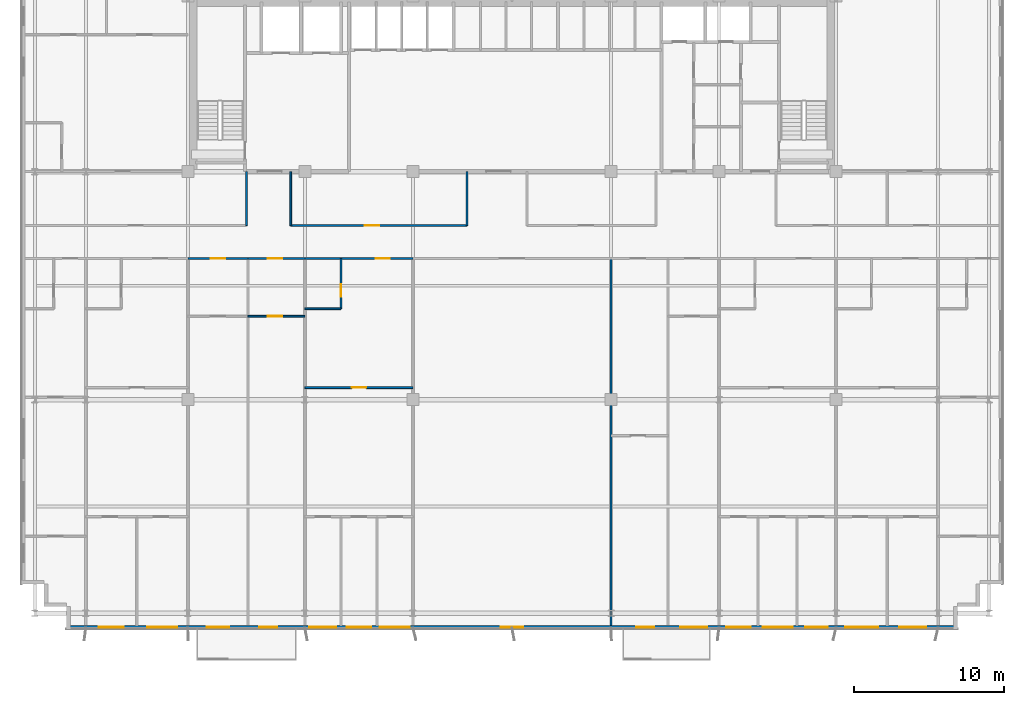
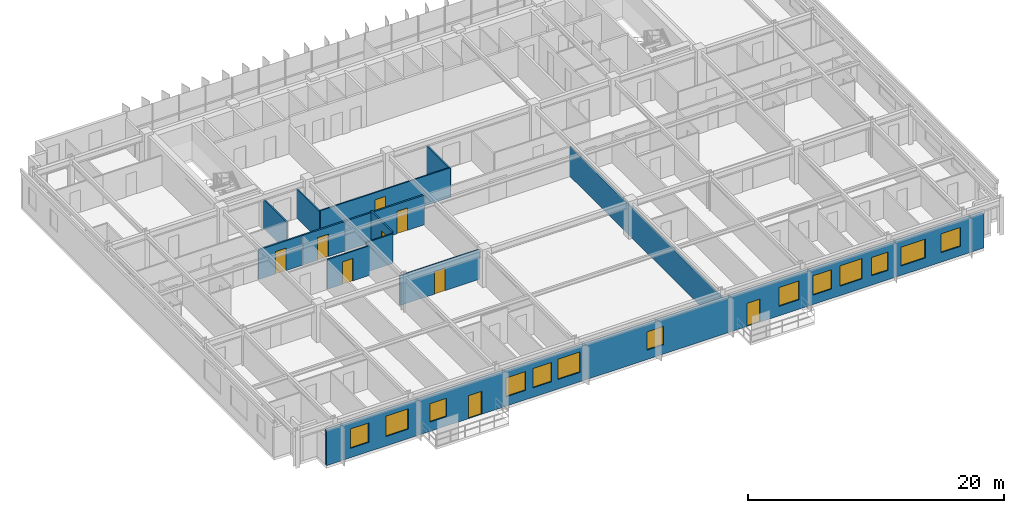
# One storey, part 15 of 22: 13 walls, 13 windows, 9 doors, 22 openings.
"""IFC4 building model written with IfcOpenShell, lengths in metres."""

from ifc_helpers import new_model, si_unit, direction, frame, frame_2d, origin, place, context, subcontext, project, spatial, rectangle, extrude, source, transform, mapped, material, layer, layer_set, type_object, element, fill, save


model = new_model("IFC4")

# Units and contexts
model_context = context("Model", 3, precision=1e-05, world=origin(), true_north=direction((0.0, 1.0)))
body_context = subcontext(model_context, "Body", "Model", "MODEL_VIEW")
ifc_project = project(units=[si_unit("LENGTHUNIT", "METRE"), si_unit("AREAUNIT", "SQUARE_METRE"), si_unit("VOLUMEUNIT", "CUBIC_METRE"), si_unit("PLANEANGLEUNIT", "RADIAN"), si_unit("MASSUNIT", "GRAM", prefix="KILO")], contexts=[model_context])

# Site, building, storey
site_placement = place(None, origin())
site = spatial("IfcSite", under=ifc_project, at=site_placement, CompositionType="ELEMENT")
building_placement = place(site_placement, origin())
building = spatial("IfcBuilding", under=site, at=building_placement, Name="Trelvane Seafront Commons", CompositionType="ELEMENT")
storey_placement = place(building_placement, frame((0.0, 0.0, 96.10009765625)))
storey = spatial("IfcBuildingStorey", under=building, at=storey_placement, Name="L24", CompositionType="ELEMENT", Elevation=96.10009765625)

# Wall, openings, doors, windows
ifc_material_1 = material(Name="Precast concrete C40/50", Category="concrete")
ifc_layer_1 = layer(ifc_material_1, 0.260009765625, Name="ARCH-WALL-EXT260")
ifc_layer_set_1 = layer_set([ifc_layer_1], Name="Precast concrete C40/50")
wall_type_1 = type_object("IfcWallType", Name="ARCH-WALL-EXT260", PredefinedType="SOLIDWALL", material=ifc_layer_set_1)
wall_1_placement = place(storey_placement, frame((66.89990234375, 3.030029296875, 0.0), z_axis=(0.0, 0.0, 1.0), x_axis=(-1.0, 0.0, 0.0)))
wall_1 = element("IfcWall", 1, at=wall_1_placement, inside=storey, type_object=wall_type_1, Name="EW-L24-00452", PredefinedType="SOLIDWALL", context=body_context, shape_type="SweptSolid", body=[
    extrude(rectangle(XDim=59.39990234375, YDim=0.260009765625, at=frame_2d((29.699951171875, 0.0))), origin(), (0.0, 0.0, 1.0), 3.33984375),
])
opening_1_placement = place(wall_1_placement, frame((2.10009765625, 0.0, 0.89990234375)))
opening_1 = element("IfcOpeningElement", 2, at=opening_1_placement, cuts=wall_1, Name="Opening W01", PredefinedType="OPENING", context=body_context, shape_type="SweptSolid", body=[
    extrude(rectangle(XDim=1.800048828125, YDim=1.800048828125, at=frame_2d((0.89990234375, 0.89990234375))), frame((0.0, 0.139892578125, 0.0), z_axis=(0.0, -1.0, 0.0), x_axis=(1.0, 0.0, 0.0)), (0.0, 0.0, 1.0), 0.280029296875),
])
opening_2_placement = place(wall_1_placement, frame((5.300048828125, 0.0, 0.89990234375)))
opening_2 = element("IfcOpeningElement", 3, at=opening_2_placement, cuts=wall_1, Name="Opening W02", PredefinedType="OPENING", context=body_context, shape_type="SweptSolid", body=[
    extrude(rectangle(XDim=2.199951171875, YDim=1.800048828125, at=frame_2d((1.10009765625, 0.89990234375))), frame((0.0, 0.139892578125, 0.0), z_axis=(0.0, -1.0, 0.0), x_axis=(1.0, 0.0, 0.0)), (0.0, 0.0, 1.0), 0.280029296875),
])
opening_3_placement = place(wall_1_placement, frame((8.64990234375, 0.0, 0.89990234375)))
opening_3 = element("IfcOpeningElement", 4, at=opening_3_placement, cuts=wall_1, Name="Opening W03", PredefinedType="OPENING", context=body_context, shape_type="SweptSolid", body=[
    extrude(rectangle(XDim=1.5, YDim=1.75, at=frame_2d((0.75, 0.875))), frame((0.0, 0.139892578125, 0.0), z_axis=(0.0, -1.0, 0.0), x_axis=(1.0, 0.0, 0.0)), (0.0, 0.0, 1.0), 0.280029296875),
])
opening_4_placement = place(wall_1_placement, frame((11.0, 0.0, 0.89990234375)))
opening_4 = element("IfcOpeningElement", 5, at=opening_4_placement, cuts=wall_1, Name="Opening W06", PredefinedType="OPENING", context=body_context, shape_type="SweptSolid", body=[
    extrude(rectangle(XDim=2.0, YDim=1.949951171875, at=frame_2d((1.0, 0.97509765625))), frame((0.0, 0.139892578125, 0.0), z_axis=(0.0, -1.0, 0.0), x_axis=(1.0, 0.0, 0.0)), (0.0, 0.0, 1.0), 0.280029296875),
])
opening_5_placement = place(wall_1_placement, frame((13.77490234375, 0.0, 0.89990234375)))
opening_5 = element("IfcOpeningElement", 6, at=opening_5_placement, cuts=wall_1, Name="Opening W07", PredefinedType="OPENING", context=body_context, shape_type="SweptSolid", body=[
    extrude(rectangle(XDim=1.64990234375, YDim=1.85009765625, at=frame_2d((0.824951171875, 0.925048828125))), frame((0.0, 0.139892578125, 0.0), z_axis=(0.0, -1.0, 0.0), x_axis=(1.0, 0.0, 0.0)), (0.0, 0.0, 1.0), 0.280029296875),
])
opening_6_placement = place(wall_1_placement, frame((16.699951171875, 0.0, 0.89990234375)))
opening_6 = element("IfcOpeningElement", 7, at=opening_6_placement, cuts=wall_1, Name="Opening W01", PredefinedType="OPENING", context=body_context, shape_type="SweptSolid", body=[
    extrude(rectangle(XDim=1.800048828125, YDim=1.800048828125, at=frame_2d((0.89990234375, 0.89990234375))), frame((0.0, 0.139892578125, 0.0), z_axis=(0.0, -1.0, 0.0), x_axis=(1.0, 0.0, 0.0)), (0.0, 0.0, 1.0), 0.280029296875),
])
opening_7_placement = place(wall_1_placement, frame((20.22705078125, 0.0, 0.0)))
opening_7 = element("IfcOpeningElement", 8, at=opening_7_placement, cuts=wall_1, Name="Opening BD-L24-57", PredefinedType="OPENING", context=body_context, shape_type="SweptSolid", body=[
    extrude(rectangle(XDim=1.199951171875, YDim=2.199951171875, at=frame_2d((0.60009765625, 1.10009765625))), frame((0.0, 0.139892578125, 0.0), z_axis=(0.0, -1.0, 0.0), x_axis=(1.0, 0.0, 0.0)), (0.0, 0.0, 1.0), 0.280029296875),
])
opening_8_placement = place(wall_1_placement, frame((28.949951171875, 0.0, 0.89990234375)))
opening_8 = element("IfcOpeningElement", 9, at=opening_8_placement, cuts=wall_1, Name="Opening W03", PredefinedType="OPENING", context=body_context, shape_type="SweptSolid", body=[
    extrude(rectangle(XDim=1.5, YDim=1.75, at=frame_2d((0.75, 0.875))), frame((0.0, 0.139892578125, 0.0), z_axis=(0.0, -1.0, 0.0), x_axis=(1.0, 0.0, 0.0)), (0.0, 0.0, 1.0), 0.280029296875),
])
opening_9_placement = place(wall_1_placement, frame((36.5, 0.0, 0.89990234375)))
opening_9 = element("IfcOpeningElement", 10, at=opening_9_placement, cuts=wall_1, Name="Opening W06", PredefinedType="OPENING", context=body_context, shape_type="SweptSolid", body=[
    extrude(rectangle(XDim=2.0, YDim=1.949951171875, at=frame_2d((1.0, 0.97509765625))), frame((0.0, 0.139892578125, 0.0), z_axis=(0.0, -1.0, 0.0), x_axis=(1.0, 0.0, 0.0)), (0.0, 0.0, 1.0), 0.280029296875),
])
opening_10_placement = place(wall_1_placement, frame((39.074951171875, 0.0, 0.89990234375)))
opening_10 = element("IfcOpeningElement", 11, at=opening_10_placement, cuts=wall_1, Name="Opening W07", PredefinedType="OPENING", context=body_context, shape_type="SweptSolid", body=[
    extrude(rectangle(XDim=1.64990234375, YDim=1.85009765625, at=frame_2d((0.824951171875, 0.925048828125))), frame((0.0, 0.139892578125, 0.0), z_axis=(0.0, -1.0, 0.0), x_axis=(1.0, 0.0, 0.0)), (0.0, 0.0, 1.0), 0.280029296875),
])
opening_11_placement = place(wall_1_placement, frame((41.39990234375, 0.0, 0.89990234375)))
opening_11 = element("IfcOpeningElement", 12, at=opening_11_placement, cuts=wall_1, Name="Opening W01", PredefinedType="OPENING", context=body_context, shape_type="SweptSolid", body=[
    extrude(rectangle(XDim=1.800048828125, YDim=1.800048828125, at=frame_2d((0.89990234375, 0.89990234375))), frame((0.0, 0.139892578125, 0.0), z_axis=(0.0, -1.0, 0.0), x_axis=(1.0, 0.0, 0.0)), (0.0, 0.0, 1.0), 0.280029296875),
])
opening_12_placement = place(wall_1_placement, frame((45.360107421875, 0.0, 0.0)))
opening_12 = element("IfcOpeningElement", 13, at=opening_12_placement, cuts=wall_1, Name="Opening BD-L24-58", PredefinedType="OPENING", context=body_context, shape_type="SweptSolid", body=[
    extrude(rectangle(XDim=1.199951171875, YDim=2.199951171875, at=frame_2d((0.60009765625, 1.10009765625))), frame((0.0, 0.139892578125, 0.0), z_axis=(0.0, -1.0, 0.0), x_axis=(1.0, 0.0, 0.0)), (0.0, 0.0, 1.0), 0.280029296875),
])
opening_13_placement = place(wall_1_placement, frame((48.550048828125, 0.0, 0.89990234375)))
opening_13 = element("IfcOpeningElement", 14, at=opening_13_placement, cuts=wall_1, Name="Opening W03", PredefinedType="OPENING", context=body_context, shape_type="SweptSolid", body=[
    extrude(rectangle(XDim=1.5, YDim=1.75, at=frame_2d((0.75, 0.875))), frame((0.0, 0.139892578125, 0.0), z_axis=(0.0, -1.0, 0.0), x_axis=(1.0, 0.0, 0.0)), (0.0, 0.0, 1.0), 0.280029296875),
])
opening_14_placement = place(wall_1_placement, frame((52.0, 0.0, 0.89990234375)))
opening_14 = element("IfcOpeningElement", 15, at=opening_14_placement, cuts=wall_1, Name="Opening W06", PredefinedType="OPENING", context=body_context, shape_type="SweptSolid", body=[
    extrude(rectangle(XDim=2.0, YDim=1.949951171875, at=frame_2d((1.0, 0.97509765625))), frame((0.0, 0.139892578125, 0.0), z_axis=(0.0, -1.0, 0.0), x_axis=(1.0, 0.0, 0.0)), (0.0, 0.0, 1.0), 0.280029296875),
])
opening_15_placement = place(wall_1_placement, frame((55.574951171875, 0.0, 0.89990234375)))
opening_15 = element("IfcOpeningElement", 16, at=opening_15_placement, cuts=wall_1, Name="Opening W07", PredefinedType="OPENING", context=body_context, shape_type="SweptSolid", body=[
    extrude(rectangle(XDim=1.64990234375, YDim=1.85009765625, at=frame_2d((0.824951171875, 0.925048828125))), frame((0.0, 0.139892578125, 0.0), z_axis=(0.0, -1.0, 0.0), x_axis=(1.0, 0.0, 0.0)), (0.0, 0.0, 1.0), 0.280029296875),
])
ifc_material_2 = material(Name="Powder-coated aluminium frame", Category="aluminium")
door_type_1 = type_object("IfcDoorType", Name="ARCH-DR-BAL1200", OperationType="NOTDEFINED", PredefinedType="DOOR", material=ifc_material_2)
shared_shape_1 = source(origin(), body_context, "Body", "SweptSolid", [
    extrude(rectangle(XDim=1.199951171875, YDim=2.199951171875, at=frame_2d((0.60009765625, 1.10009765625))), frame((0.0, 0.02490234375, 0.0), z_axis=(0.0, -1.0, 0.0), x_axis=(1.0, 0.0, 0.0)), (0.0, 0.0, 1.0), 0.050048828125),
])
door_1_placement = place(opening_7_placement, origin())
door_1 = element("IfcDoor", 17, at=door_1_placement, inside=storey, type_object=door_type_1, Name="L24 Balcony Terrace Access Door", OperationType="SINGLE_SWING_LEFT", OverallHeight=2.199951171875, OverallWidth=1.199951171875, PredefinedType="DOOR", context=body_context, shape_type="MappedRepresentation", body=[
    mapped(shared_shape_1, transform((0.0, 0.0, 0.0), x_axis=(1.0, 0.0, 0.0), y_axis=(0.0, 1.0, 0.0), z_axis=(0.0, 0.0, 1.0), scale=1.0)),
])
fill(opening_7, door_1)
door_2_placement = place(opening_12_placement, origin())
door_2 = element("IfcDoor", 18, at=door_2_placement, inside=storey, type_object=door_type_1, Name="L24 Balcony Terrace Access Door", OperationType="SINGLE_SWING_LEFT", OverallHeight=2.199951171875, OverallWidth=1.199951171875, PredefinedType="DOOR", context=body_context, shape_type="MappedRepresentation", body=[
    mapped(shared_shape_1, transform((0.0, 0.0, 0.0), x_axis=(1.0, 0.0, 0.0), y_axis=(0.0, 1.0, 0.0), z_axis=(0.0, 0.0, 1.0), scale=1.0)),
])
fill(opening_12, door_2)
ifc_material_3 = material(Name="Low-E coastal double glazing", Category="glass")
window_type_1 = type_object("IfcWindowType", Name="ARCH-WIN-W02", PartitioningType="SINGLE_PANEL", PredefinedType="WINDOW", material=ifc_material_3)
shared_shape_2 = source(origin(), body_context, "Body", "SweptSolid", [
    extrude(rectangle(XDim=2.199951171875, YDim=1.800048828125, at=frame_2d((1.10009765625, 0.89990234375))), frame((0.0, 0.030029296875, 0.0), z_axis=(0.0, -1.0, 0.0), x_axis=(1.0, 0.0, 0.0)), (0.0, 0.0, 1.0), 0.06005859375),
])
window_1_placement = place(opening_2_placement, origin())
window_1 = element("IfcWindow", 19, at=window_1_placement, inside=storey, type_object=window_type_1, Name="WIN-L24-00520", OverallHeight=1.800048828125, OverallWidth=2.199951171875, PartitioningType="SINGLE_PANEL", PredefinedType="WINDOW", context=body_context, shape_type="MappedRepresentation", body=[
    mapped(shared_shape_2, transform((0.0, 0.0, 0.0), x_axis=(1.0, 0.0, 0.0), y_axis=(0.0, 1.0, 0.0), z_axis=(0.0, 0.0, 1.0), scale=1.0)),
])
fill(opening_2, window_1)
window_type_2 = type_object("IfcWindowType", Name="ARCH-WIN-W03", PartitioningType="SINGLE_PANEL", PredefinedType="WINDOW", material=ifc_material_3)
shared_shape_3 = source(origin(), body_context, "Body", "SweptSolid", [
    extrude(rectangle(XDim=1.5, YDim=1.75, at=frame_2d((0.75, 0.875))), frame((0.0, 0.030029296875, 0.0), z_axis=(0.0, -1.0, 0.0), x_axis=(1.0, 0.0, 0.0)), (0.0, 0.0, 1.0), 0.06005859375),
])
window_2_placement = place(opening_3_placement, origin())
window_2 = element("IfcWindow", 20, at=window_2_placement, inside=storey, type_object=window_type_2, Name="WIN-L24-00521", OverallHeight=1.75, OverallWidth=1.5, PartitioningType="SINGLE_PANEL", PredefinedType="WINDOW", context=body_context, shape_type="MappedRepresentation", body=[
    mapped(shared_shape_3, transform((0.0, 0.0, 0.0), x_axis=(1.0, 0.0, 0.0), y_axis=(0.0, 1.0, 0.0), z_axis=(0.0, 0.0, 1.0), scale=1.0)),
])
fill(opening_3, window_2)
window_3_placement = place(opening_8_placement, origin())
window_3 = element("IfcWindow", 21, at=window_3_placement, inside=storey, type_object=window_type_2, Name="WIN-L24-00525", OverallHeight=1.75, OverallWidth=1.5, PartitioningType="SINGLE_PANEL", PredefinedType="WINDOW", context=body_context, shape_type="MappedRepresentation", body=[
    mapped(shared_shape_3, transform((0.0, 0.0, 0.0), x_axis=(1.0, 0.0, 0.0), y_axis=(0.0, 1.0, 0.0), z_axis=(0.0, 0.0, 1.0), scale=1.0)),
])
fill(opening_8, window_3)
window_4_placement = place(opening_13_placement, origin())
window_4 = element("IfcWindow", 22, at=window_4_placement, inside=storey, type_object=window_type_2, Name="WIN-L24-00529", OverallHeight=1.75, OverallWidth=1.5, PartitioningType="SINGLE_PANEL", PredefinedType="WINDOW", context=body_context, shape_type="MappedRepresentation", body=[
    mapped(shared_shape_3, transform((0.0, 0.0, 0.0), x_axis=(1.0, 0.0, 0.0), y_axis=(0.0, 1.0, 0.0), z_axis=(0.0, 0.0, 1.0), scale=1.0)),
])
fill(opening_13, window_4)
window_type_3 = type_object("IfcWindowType", Name="ARCH-WIN-W06", PartitioningType="SINGLE_PANEL", PredefinedType="WINDOW", material=ifc_material_3)
shared_shape_4 = source(origin(), body_context, "Body", "SweptSolid", [
    extrude(rectangle(XDim=2.0, YDim=1.949951171875, at=frame_2d((1.0, 0.97509765625))), frame((0.0, 0.030029296875, 0.0), z_axis=(0.0, -1.0, 0.0), x_axis=(1.0, 0.0, 0.0)), (0.0, 0.0, 1.0), 0.06005859375),
])
window_5_placement = place(opening_4_placement, origin())
window_5 = element("IfcWindow", 23, at=window_5_placement, inside=storey, type_object=window_type_3, Name="WIN-L24-00522", OverallHeight=1.949951171875, OverallWidth=2.0, PartitioningType="SINGLE_PANEL", PredefinedType="WINDOW", context=body_context, shape_type="MappedRepresentation", body=[
    mapped(shared_shape_4, transform((0.0, 0.0, 0.0), x_axis=(1.0, 0.0, 0.0), y_axis=(0.0, 1.0, 0.0), z_axis=(0.0, 0.0, 1.0), scale=1.0)),
])
fill(opening_4, window_5)
window_6_placement = place(opening_9_placement, origin())
window_6 = element("IfcWindow", 24, at=window_6_placement, inside=storey, type_object=window_type_3, Name="WIN-L24-00526", OverallHeight=1.949951171875, OverallWidth=2.0, PartitioningType="SINGLE_PANEL", PredefinedType="WINDOW", context=body_context, shape_type="MappedRepresentation", body=[
    mapped(shared_shape_4, transform((0.0, 0.0, 0.0), x_axis=(1.0, 0.0, 0.0), y_axis=(0.0, 1.0, 0.0), z_axis=(0.0, 0.0, 1.0), scale=1.0)),
])
fill(opening_9, window_6)
window_7_placement = place(opening_14_placement, origin())
window_7 = element("IfcWindow", 25, at=window_7_placement, inside=storey, type_object=window_type_3, Name="WIN-L24-00530", OverallHeight=1.949951171875, OverallWidth=2.0, PartitioningType="SINGLE_PANEL", PredefinedType="WINDOW", context=body_context, shape_type="MappedRepresentation", body=[
    mapped(shared_shape_4, transform((0.0, 0.0, 0.0), x_axis=(1.0, 0.0, 0.0), y_axis=(0.0, 1.0, 0.0), z_axis=(0.0, 0.0, 1.0), scale=1.0)),
])
fill(opening_14, window_7)
window_type_4 = type_object("IfcWindowType", Name="ARCH-WIN-W01", PartitioningType="SINGLE_PANEL", PredefinedType="WINDOW", material=ifc_material_3)
shared_shape_5 = source(origin(), body_context, "Body", "SweptSolid", [
    extrude(rectangle(XDim=1.800048828125, YDim=1.800048828125, at=frame_2d((0.89990234375, 0.89990234375))), frame((0.0, 0.030029296875, 0.0), z_axis=(0.0, -1.0, 0.0), x_axis=(1.0, 0.0, 0.0)), (0.0, 0.0, 1.0), 0.06005859375),
])
window_8_placement = place(opening_1_placement, origin())
window_8 = element("IfcWindow", 26, at=window_8_placement, inside=storey, type_object=window_type_4, Name="WIN-L24-00519", OverallHeight=1.800048828125, OverallWidth=1.800048828125, PartitioningType="SINGLE_PANEL", PredefinedType="WINDOW", context=body_context, shape_type="MappedRepresentation", body=[
    mapped(shared_shape_5, transform((0.0, 0.0, 0.0), x_axis=(1.0, 0.0, 0.0), y_axis=(0.0, 1.0, 0.0), z_axis=(0.0, 0.0, 1.0), scale=1.0)),
])
fill(opening_1, window_8)
window_9_placement = place(opening_6_placement, origin())
window_9 = element("IfcWindow", 27, at=window_9_placement, inside=storey, type_object=window_type_4, Name="WIN-L24-00524", OverallHeight=1.800048828125, OverallWidth=1.800048828125, PartitioningType="SINGLE_PANEL", PredefinedType="WINDOW", context=body_context, shape_type="MappedRepresentation", body=[
    mapped(shared_shape_5, transform((0.0, 0.0, 0.0), x_axis=(1.0, 0.0, 0.0), y_axis=(0.0, 1.0, 0.0), z_axis=(0.0, 0.0, 1.0), scale=1.0)),
])
fill(opening_6, window_9)
window_10_placement = place(opening_11_placement, origin())
window_10 = element("IfcWindow", 28, at=window_10_placement, inside=storey, type_object=window_type_4, Name="WIN-L24-00528", OverallHeight=1.800048828125, OverallWidth=1.800048828125, PartitioningType="SINGLE_PANEL", PredefinedType="WINDOW", context=body_context, shape_type="MappedRepresentation", body=[
    mapped(shared_shape_5, transform((0.0, 0.0, 0.0), x_axis=(1.0, 0.0, 0.0), y_axis=(0.0, 1.0, 0.0), z_axis=(0.0, 0.0, 1.0), scale=1.0)),
])
fill(opening_11, window_10)
window_type_5 = type_object("IfcWindowType", Name="ARCH-WIN-W07", PartitioningType="SINGLE_PANEL", PredefinedType="WINDOW", material=ifc_material_3)
shared_shape_6 = source(origin(), body_context, "Body", "SweptSolid", [
    extrude(rectangle(XDim=1.64990234375, YDim=1.85009765625, at=frame_2d((0.824951171875, 0.925048828125))), frame((0.0, 0.030029296875, 0.0), z_axis=(0.0, -1.0, 0.0), x_axis=(1.0, 0.0, 0.0)), (0.0, 0.0, 1.0), 0.06005859375),
])
window_11_placement = place(opening_5_placement, origin())
window_11 = element("IfcWindow", 29, at=window_11_placement, inside=storey, type_object=window_type_5, Name="WIN-L24-00523", OverallHeight=1.85009765625, OverallWidth=1.64990234375, PartitioningType="SINGLE_PANEL", PredefinedType="WINDOW", context=body_context, shape_type="MappedRepresentation", body=[
    mapped(shared_shape_6, transform((0.0, 0.0, 0.0), x_axis=(1.0, 0.0, 0.0), y_axis=(0.0, 1.0, 0.0), z_axis=(0.0, 0.0, 1.0), scale=1.0)),
])
fill(opening_5, window_11)
window_12_placement = place(opening_10_placement, origin())
window_12 = element("IfcWindow", 30, at=window_12_placement, inside=storey, type_object=window_type_5, Name="WIN-L24-00527", OverallHeight=1.85009765625, OverallWidth=1.64990234375, PartitioningType="SINGLE_PANEL", PredefinedType="WINDOW", context=body_context, shape_type="MappedRepresentation", body=[
    mapped(shared_shape_6, transform((0.0, 0.0, 0.0), x_axis=(1.0, 0.0, 0.0), y_axis=(0.0, 1.0, 0.0), z_axis=(0.0, 0.0, 1.0), scale=1.0)),
])
fill(opening_10, window_12)
window_13_placement = place(opening_15_placement, origin())
window_13 = element("IfcWindow", 31, at=window_13_placement, inside=storey, type_object=window_type_5, Name="WIN-L24-00531", OverallHeight=1.85009765625, OverallWidth=1.64990234375, PartitioningType="SINGLE_PANEL", PredefinedType="WINDOW", context=body_context, shape_type="MappedRepresentation", body=[
    mapped(shared_shape_6, transform((0.0, 0.0, 0.0), x_axis=(1.0, 0.0, 0.0), y_axis=(0.0, 1.0, 0.0), z_axis=(0.0, 0.0, 1.0), scale=1.0)),
])
fill(opening_15, window_13)

# Wall, opening, door
ifc_material_4 = material(Name="Gypsum Drywall Acoustic Partition")
ifc_layer_2 = layer(ifc_material_4, 0.1201171875, Name="ARCH-WALL-PART120")
ifc_layer_set_2 = layer_set([ifc_layer_2], Name="Gypsum Drywall Acoustic Partition")
wall_type_2 = type_object("IfcWallType", Name="ARCH-WALL-PART120", PredefinedType="PARTITIONING", material=ifc_layer_set_2)
wall_2_placement = place(storey_placement, frame((22.449951171875, 29.800048828125, 0.0), z_axis=(0.0, 0.0, 1.0), x_axis=(1.0, 0.0, 0.0)))
wall_2 = element("IfcWall", 32, at=wall_2_placement, inside=storey, type_object=wall_type_2, Name="W-L24-CORR-N-M1-040", PredefinedType="PARTITIONING", context=body_context, shape_type="SweptSolid", body=[
    extrude(rectangle(XDim=11.75, YDim=0.1201171875, at=frame_2d((5.875, 0.0))), origin(), (0.0, 0.0, 1.0), 2.83984375),
])
opening_16_placement = place(wall_2_placement, frame((4.944091796875, 0.0, 0.0)))
opening_16 = element("IfcOpeningElement", 33, at=opening_16_placement, cuts=wall_2, Name="Opening D-L24-20", PredefinedType="OPENING", context=body_context, shape_type="SweptSolid", body=[
    extrude(rectangle(XDim=0.949951171875, YDim=2.14990234375, at=frame_2d((0.47509765625, 1.074951171875))), frame((0.0, 0.070068359375, 0.0), z_axis=(0.0, -1.0, 0.0), x_axis=(1.0, 0.0, 0.0)), (0.0, 0.0, 1.0), 0.14013671875),
])
ifc_material_5 = material(Name="Acoustic timber door leaf", Category="wood")
door_type_2 = type_object("IfcDoorType", Name="ARCH-DR-INT950", OperationType="NOTDEFINED", PredefinedType="DOOR", material=ifc_material_5)
shared_shape_7 = source(origin(), body_context, "Body", "SweptSolid", [
    extrude(rectangle(XDim=0.949951171875, YDim=2.14990234375, at=frame_2d((0.47509765625, 1.074951171875))), frame((0.0, 0.02490234375, 0.0), z_axis=(0.0, -1.0, 0.0), x_axis=(1.0, 0.0, 0.0)), (0.0, 0.0, 1.0), 0.050048828125),
])
door_3_placement = place(opening_16_placement, origin())
door_3 = element("IfcDoor", 34, at=door_3_placement, inside=storey, type_object=door_type_2, Name="L24 Door 20", OperationType="SINGLE_SWING_RIGHT", OverallHeight=2.14990234375, OverallWidth=0.949951171875, PredefinedType="DOOR", context=body_context, shape_type="MappedRepresentation", body=[
    mapped(shared_shape_7, transform((0.0, 0.0, 0.0), x_axis=(1.0, 0.0, 0.0), y_axis=(0.0, 1.0, 0.0), z_axis=(0.0, 0.0, 1.0), scale=1.0)),
])
fill(opening_16, door_3)

# Walls
for number, where, z_axis, x_axis, name in (
    (35, (19.5, 29.800048828125, 0.0), (0.0, 0.0, 1.0), (0.0, 1.0, 0.0), "W-L24-N-SPUR-W1-044"),
    (36, (22.449951171875, 29.800048828125, 0.0), (0.0, 0.0, 1.0), (0.0, 1.0, 0.0), "W-L24-N-SPUR-W2-045"),
    (37, (34.199951171875, 29.800048828125, 0.0), (0.0, 0.0, 1.0), (0.0, 1.0, 0.0), "W-L24-N-SPUR-M1-046"),
):
    element("IfcWall", number, at=place(storey_placement, frame(where, z_axis=z_axis, x_axis=x_axis)), inside=storey, type_object=wall_type_2, Name=name, PredefinedType="PARTITIONING", context=body_context, shape_type="SweptSolid", body=[
        extrude(rectangle(XDim=3.599853515625, YDim=0.1201171875, at=frame_2d((1.7998046875, 0.0))), origin(), (0.0, 0.0, 1.0), 2.751953125),
    ])

# Wall, opening, door
wall_3_placement = place(storey_placement, frame((19.60009765625, 23.75, 0.0), z_axis=(0.0, 0.0, 1.0), x_axis=(1.0, 0.0, 0.0)))
wall_3 = element("IfcWall", 38, at=wall_3_placement, inside=storey, type_object=wall_type_2, Name="W-L24-U4-DIV-085", PredefinedType="PARTITIONING", context=body_context, shape_type="SweptSolid", body=[
    extrude(rectangle(XDim=3.7998046875, YDim=0.1201171875, at=frame_2d((1.89990234375, 0.0))), origin(), (0.0, 0.0, 1.0), 2.83984375),
])
opening_17_placement = place(wall_3_placement, frame((1.330078125, 0.0, 0.0)))
opening_17 = element("IfcOpeningElement", 39, at=opening_17_placement, cuts=wall_3, Name="Opening D-L24-44", PredefinedType="OPENING", context=body_context, shape_type="SweptSolid", body=[
    extrude(rectangle(XDim=0.949951171875, YDim=2.14990234375, at=frame_2d((0.47509765625, 1.074951171875))), frame((0.0, 0.070068359375, 0.0), z_axis=(0.0, -1.0, 0.0), x_axis=(1.0, 0.0, 0.0)), (0.0, 0.0, 1.0), 0.14013671875),
])
door_4_placement = place(opening_17_placement, origin())
door_4 = element("IfcDoor", 40, at=door_4_placement, inside=storey, type_object=door_type_2, Name="L24 Door 44", OperationType="SINGLE_SWING_RIGHT", OverallHeight=2.14990234375, OverallWidth=0.949951171875, PredefinedType="DOOR", context=body_context, shape_type="MappedRepresentation", body=[
    mapped(shared_shape_7, transform((0.0, 0.0, 0.0), x_axis=(1.0, 0.0, 0.0), y_axis=(0.0, 1.0, 0.0), z_axis=(0.0, 0.0, 1.0), scale=1.0)),
])
fill(opening_17, door_4)

wall_4_placement = place(storey_placement, frame((23.39990234375, 19.0, 0.0), z_axis=(0.0, 0.0, 1.0), x_axis=(1.0, 0.0, 0.0)))
wall_4 = element("IfcWall", 41, at=wall_4_placement, inside=storey, type_object=wall_type_2, Name="W-L24-U5-KL-086", PredefinedType="PARTITIONING", context=body_context, shape_type="SweptSolid", body=[
    extrude(rectangle(XDim=7.2001953125, YDim=0.1201171875, at=frame_2d((3.60009765625, 0.0))), origin(), (0.0, 0.0, 1.0), 2.83984375),
])
opening_18_placement = place(wall_4_placement, frame((3.125, 0.0, 0.0)))
opening_18 = element("IfcOpeningElement", 42, at=opening_18_placement, cuts=wall_4, Name="Opening D-L24-45", PredefinedType="OPENING", context=body_context, shape_type="SweptSolid", body=[
    extrude(rectangle(XDim=0.949951171875, YDim=2.14990234375, at=frame_2d((0.47509765625, 1.074951171875))), frame((0.0, 0.070068359375, 0.0), z_axis=(0.0, -1.0, 0.0), x_axis=(1.0, 0.0, 0.0)), (0.0, 0.0, 1.0), 0.14013671875),
])
door_5_placement = place(opening_18_placement, origin())
door_5 = element("IfcDoor", 43, at=door_5_placement, inside=storey, type_object=door_type_2, Name="L24 Door 45", OperationType="SINGLE_SWING_LEFT", OverallHeight=2.14990234375, OverallWidth=0.949951171875, PredefinedType="DOOR", context=body_context, shape_type="MappedRepresentation", body=[
    mapped(shared_shape_7, transform((0.0, 0.0, 0.0), x_axis=(1.0, 0.0, 0.0), y_axis=(0.0, 1.0, 0.0), z_axis=(0.0, 0.0, 1.0), scale=1.0)),
])
fill(opening_18, door_5)

wall_5_placement = place(storey_placement, frame((25.800048828125, 24.25, 0.0), z_axis=(0.0, 0.0, 1.0), x_axis=(0.0, 1.0, 0.0)))
wall_5 = element("IfcWall", 44, at=wall_5_placement, inside=storey, type_object=wall_type_2, Name="W-L24-U5-BE-087", PredefinedType="PARTITIONING", context=body_context, shape_type="SweptSolid", body=[
    extrude(rectangle(XDim=3.35009765625, YDim=0.1201171875, at=frame_2d((1.675048828125, 0.0))), origin(), (0.0, 0.0, 1.0), 2.989990234375),
])
opening_19_placement = place(wall_5_placement, frame((0.800048828125, 0.0, 0.0)))
opening_19 = element("IfcOpeningElement", 45, at=opening_19_placement, cuts=wall_5, Name="Opening D-L24-46", PredefinedType="OPENING", context=body_context, shape_type="SweptSolid", body=[
    extrude(rectangle(XDim=0.85009765625, YDim=2.10009765625, at=frame_2d((0.425048828125, 1.050048828125))), frame((0.0, 0.070068359375, 0.0), z_axis=(0.0, -1.0, 0.0), x_axis=(1.0, 0.0, 0.0)), (0.0, 0.0, 1.0), 0.14013671875),
])
door_type_3 = type_object("IfcDoorType", Name="ARCH-DR-INT850", OperationType="NOTDEFINED", PredefinedType="DOOR", material=ifc_material_5)
shared_shape_8 = source(origin(), body_context, "Body", "SweptSolid", [
    extrude(rectangle(XDim=0.85009765625, YDim=2.10009765625, at=frame_2d((0.425048828125, 1.050048828125))), frame((0.0, 0.02490234375, 0.0), z_axis=(0.0, -1.0, 0.0), x_axis=(1.0, 0.0, 0.0)), (0.0, 0.0, 1.0), 0.050048828125),
])
door_6_placement = place(opening_19_placement, origin())
door_6 = element("IfcDoor", 46, at=door_6_placement, inside=storey, type_object=door_type_3, Name="L24 Door 46", OperationType="SINGLE_SWING_RIGHT", OverallHeight=2.10009765625, OverallWidth=0.85009765625, PredefinedType="DOOR", context=body_context, shape_type="MappedRepresentation", body=[
    mapped(shared_shape_8, transform((0.0, 0.0, 0.0), x_axis=(1.0, 0.0, 0.0), y_axis=(0.0, 1.0, 0.0), z_axis=(0.0, 0.0, 1.0), scale=1.0)),
])
fill(opening_19, door_6)

# Walls
wall_6_placement = place(storey_placement, frame((23.39990234375, 24.25, 0.0), z_axis=(0.0, 0.0, 1.0), x_axis=(1.0, 0.0, 0.0)))
element("IfcWall", 47, at=wall_6_placement, inside=storey, type_object=wall_type_2, Name="W-L24-U5-BS-088", PredefinedType="PARTITIONING", context=body_context, shape_type="SweptSolid", body=[
    extrude(rectangle(XDim=2.400146484375, YDim=0.1201171875, at=frame_2d((1.2001953125, 0.0))), origin(), (0.0, 0.0, 1.0), 2.83984375),
])
ifc_layer_3 = layer(ifc_material_4, 0.14990234375, Name="ARCH-WALL-PART150")
ifc_layer_set_3 = layer_set([ifc_layer_3], Name="Gypsum Drywall Acoustic Partition")
wall_type_3 = type_object("IfcWallType", Name="ARCH-WALL-PART150", PredefinedType="PARTITIONING", material=ifc_layer_set_3)
wall_7_placement = place(storey_placement, frame((43.800048828125, 3.14501953125, 0.0), z_axis=(0.0, 0.0, 1.0), x_axis=(0.0, 1.0, 0.0)))
element("IfcWall", 48, at=wall_7_placement, inside=storey, type_object=wall_type_3, Name="W-L24-PW-6-065", PredefinedType="PARTITIONING", context=body_context, shape_type="SweptSolid", body=[
    extrude(rectangle(XDim=24.455078125, YDim=0.14990234375, at=frame_2d((12.2275390625, 0.0))), origin(), (0.0, 0.0, 1.0), 2.83984375),
])

# Wall, opening, door
wall_8_placement = place(storey_placement, frame((15.60009765625, 27.60009765625, 0.0), z_axis=(0.0, 0.0, 1.0), x_axis=(1.0, 0.0, 0.0)))
wall_8 = element("IfcWall", 49, at=wall_8_placement, inside=storey, type_object=wall_type_3, Name="W-L24-CS-BAY-3-082", PredefinedType="PARTITIONING", context=body_context, shape_type="SweptSolid", body=[
    extrude(rectangle(XDim=4.0, YDim=0.14990234375, at=frame_2d((2.0, 0.0))), origin(), (0.0, 0.0, 1.0), 2.83984375),
])
opening_20_placement = place(wall_8_placement, frame((1.52490234375, 0.0, 0.0)))
opening_20 = element("IfcOpeningElement", 50, at=opening_20_placement, cuts=wall_8, Name="Opening FD-L24-41", PredefinedType="OPENING", context=body_context, shape_type="SweptSolid", body=[
    extrude(rectangle(XDim=0.949951171875, YDim=2.14990234375, at=frame_2d((0.47509765625, 1.074951171875))), frame((0.0, 0.0849609375, 0.0), z_axis=(0.0, -1.0, 0.0), x_axis=(1.0, 0.0, 0.0)), (0.0, 0.0, 1.0), 0.169921875),
])
door_type_4 = type_object("IfcDoorType", Name="ARCH-DR-FD60-950", OperationType="NOTDEFINED", PredefinedType="DOOR", material=ifc_material_2)
door_7_placement = place(opening_20_placement, origin())
door_7 = element("IfcDoor", 51, at=door_7_placement, inside=storey, type_object=door_type_4, Name="L24 Bay 03 Entrance Door", OperationType="SINGLE_SWING_LEFT", OverallHeight=2.14990234375, OverallWidth=0.949951171875, PredefinedType="DOOR", context=body_context, shape_type="MappedRepresentation", body=[
    mapped(shared_shape_7, transform((0.0, 0.0, 0.0), x_axis=(1.0, 0.0, 0.0), y_axis=(0.0, 1.0, 0.0), z_axis=(0.0, 0.0, 1.0), scale=1.0)),
])
fill(opening_20, door_7)

wall_9_placement = place(storey_placement, frame((19.60009765625, 27.60009765625, 0.0), z_axis=(0.0, 0.0, 1.0), x_axis=(1.0, 0.0, 0.0)))
wall_9 = element("IfcWall", 52, at=wall_9_placement, inside=storey, type_object=wall_type_3, Name="W-L24-CS-BAY-4-084", PredefinedType="PARTITIONING", context=body_context, shape_type="SweptSolid", body=[
    extrude(rectangle(XDim=3.7998046875, YDim=0.14990234375, at=frame_2d((1.89990234375, 0.0))), origin(), (0.0, 0.0, 1.0), 2.83984375),
])
opening_21_placement = place(wall_9_placement, frame((1.330078125, 0.0, 0.0)))
opening_21 = element("IfcOpeningElement", 53, at=opening_21_placement, cuts=wall_9, Name="Opening FD-L24-43", PredefinedType="OPENING", context=body_context, shape_type="SweptSolid", body=[
    extrude(rectangle(XDim=0.949951171875, YDim=2.14990234375, at=frame_2d((0.47509765625, 1.074951171875))), frame((0.0, 0.0849609375, 0.0), z_axis=(0.0, -1.0, 0.0), x_axis=(1.0, 0.0, 0.0)), (0.0, 0.0, 1.0), 0.169921875),
])
door_8_placement = place(opening_21_placement, origin())
door_8 = element("IfcDoor", 54, at=door_8_placement, inside=storey, type_object=door_type_4, Name="L24 Bay 04 Entrance Door", OperationType="SINGLE_SWING_LEFT", OverallHeight=2.14990234375, OverallWidth=0.949951171875, PredefinedType="DOOR", context=body_context, shape_type="MappedRepresentation", body=[
    mapped(shared_shape_7, transform((0.0, 0.0, 0.0), x_axis=(1.0, 0.0, 0.0), y_axis=(0.0, 1.0, 0.0), z_axis=(0.0, 0.0, 1.0), scale=1.0)),
])
fill(opening_21, door_8)

wall_10_placement = place(storey_placement, frame((23.39990234375, 27.60009765625, 0.0), z_axis=(0.0, 0.0, 1.0), x_axis=(1.0, 0.0, 0.0)))
wall_10 = element("IfcWall", 55, at=wall_10_placement, inside=storey, type_object=wall_type_3, Name="W-L24-CS-BAY-5-089", PredefinedType="PARTITIONING", context=body_context, shape_type="SweptSolid", body=[
    extrude(rectangle(XDim=7.2001953125, YDim=0.14990234375, at=frame_2d((3.60009765625, 0.0))), origin(), (0.0, 0.0, 1.0), 2.83984375),
])
opening_22_placement = place(wall_10_placement, frame((4.7060546875, 0.0, 0.0)))
opening_22 = element("IfcOpeningElement", 56, at=opening_22_placement, cuts=wall_10, Name="Opening FD-L24-47", PredefinedType="OPENING", context=body_context, shape_type="SweptSolid", body=[
    extrude(rectangle(XDim=0.949951171875, YDim=2.14990234375, at=frame_2d((0.47509765625, 1.074951171875))), frame((0.0, 0.0849609375, 0.0), z_axis=(0.0, -1.0, 0.0), x_axis=(1.0, 0.0, 0.0)), (0.0, 0.0, 1.0), 0.169921875),
])
door_9_placement = place(opening_22_placement, origin())
door_9 = element("IfcDoor", 57, at=door_9_placement, inside=storey, type_object=door_type_4, Name="L24 Unit 05 Entrance Door", OperationType="SINGLE_SWING_LEFT", OverallHeight=2.14990234375, OverallWidth=0.949951171875, PredefinedType="DOOR", context=body_context, shape_type="MappedRepresentation", body=[
    mapped(shared_shape_7, transform((0.0, 0.0, 0.0), x_axis=(1.0, 0.0, 0.0), y_axis=(0.0, 1.0, 0.0), z_axis=(0.0, 0.0, 1.0), scale=1.0)),
])
fill(opening_22, door_9)

save(model, "model.ifc")
